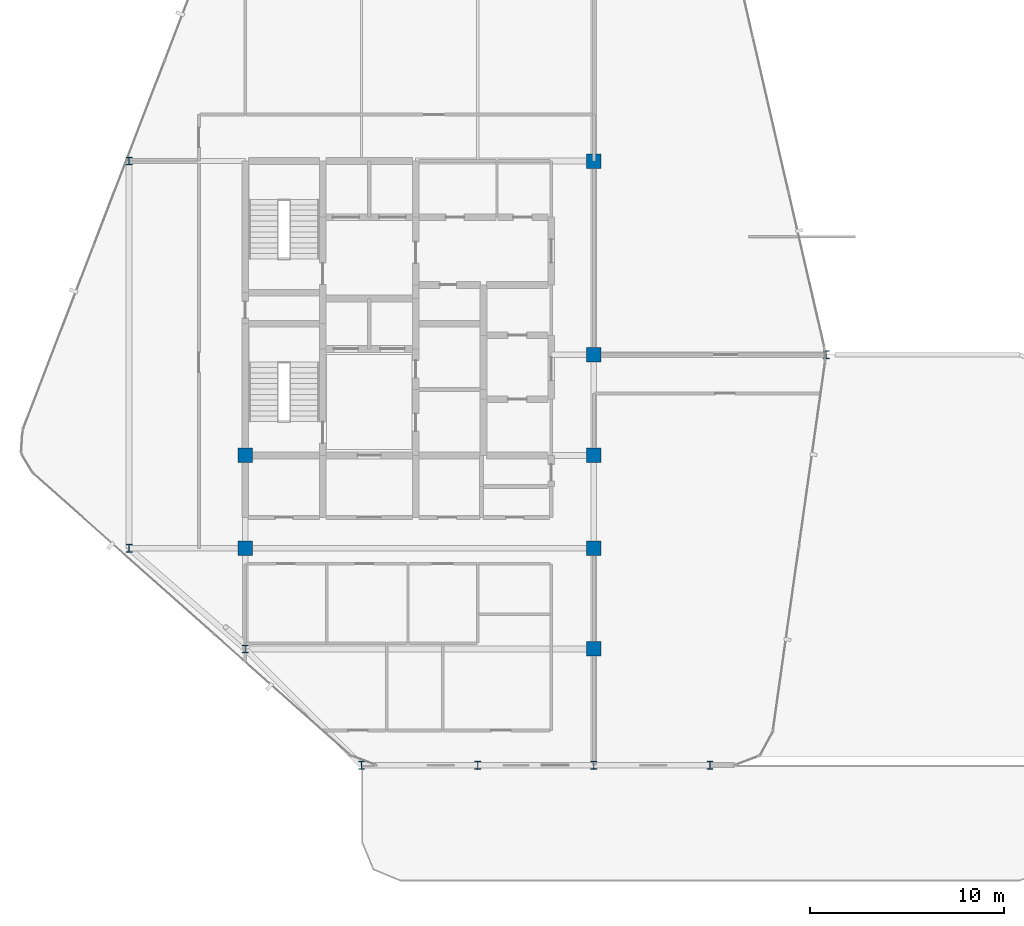
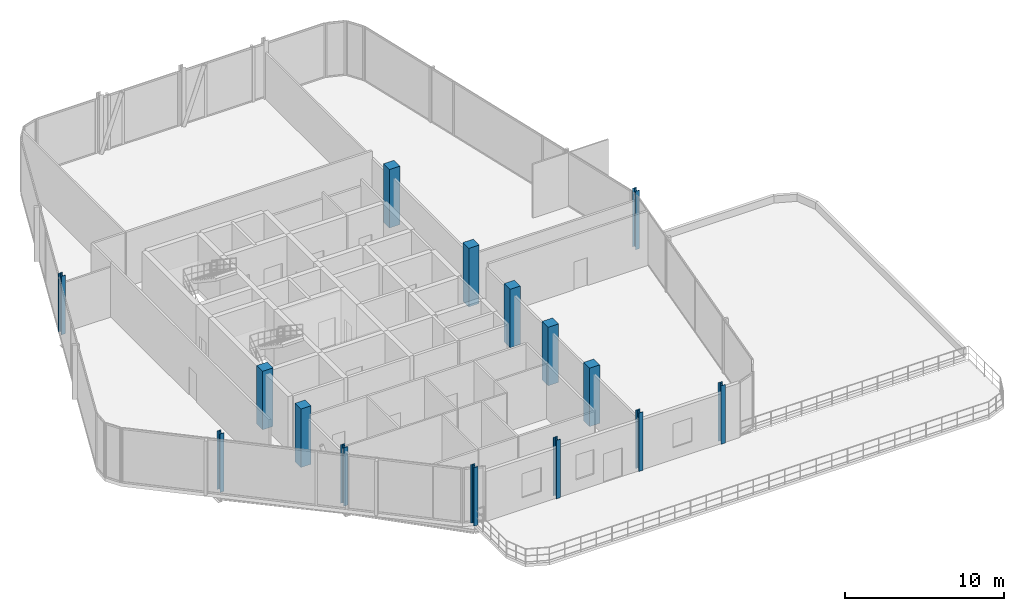
# One storey, part 1 of 24: 15 columns.
"""IFC4 building model written with IfcOpenShell, lengths in metres."""

from ifc_helpers import new_model, si_unit, direction, frame, origin, origin_2d, place, context, subcontext, project, spatial, rectangle, i_section, extrude, material, material_profile, profile_set, type_object, element, save


model = new_model("IFC4")

# Units and contexts
model_context = context("Model", 3, precision=1e-05, world=origin(), true_north=direction((0.0, 1.0)))
body_context = subcontext(model_context, "Body", "Model", "MODEL_VIEW")
ifc_project = project(units=[si_unit("LENGTHUNIT", "METRE"), si_unit("AREAUNIT", "SQUARE_METRE"), si_unit("VOLUMEUNIT", "CUBIC_METRE"), si_unit("PLANEANGLEUNIT", "RADIAN"), si_unit("MASSUNIT", "GRAM", prefix="KILO")], contexts=[model_context])

# Site, building, storey
site_placement = place(None, origin())
site = spatial("IfcSite", under=ifc_project, at=site_placement, CompositionType="ELEMENT")
building_placement = place(site_placement, origin())
building = spatial("IfcBuilding", under=site, at=building_placement, Name="Keshet Zoharim Tower", CompositionType="ELEMENT")
storey_placement = place(building_placement, frame((0.0, 0.0, 242.800048828125)))
storey = spatial("IfcBuildingStorey", under=building, at=storey_placement, Name="L60", CompositionType="ELEMENT", Elevation=242.800048828125)

# Columns
ifc_material_1 = material(Name="Steel S355", Category="steel")
ifc_material_profile_1 = material_profile(ifc_material_1, i_section(OverallWidth=0.300048828125, OverallDepth=0.39990234375, WebThickness=0.013427734375, FlangeThickness=0.02392578125, FilletRadius=0.027099609375, at=origin_2d()), Name="HEB400")
ifc_profile_set_1 = profile_set([ifc_material_profile_1], Name="Steel S355")
column_type_1 = type_object("IfcColumnType", Name="COL-HEB400", PredefinedType="COLUMN", material=ifc_profile_set_1)
for number, where, z_axis, x_axis, name in (
    (1, (9.0, 17.89990234375, 0.0), (0.0, 0.0, 1.0), (1.0, 0.0, 0.0), "L60 Column 2D"),
    (2, (9.0, 37.89990234375, 0.0), (0.0, 0.0, 1.0), (1.0, 0.0, 0.0), "L60 Column 2H"),
    (3, (15.0, 12.699951171875, 0.0), (0.0, 0.0, 1.0), (1.0, 0.0, 0.0), "L60 Column 3C"),
    (4, (21.0, 6.699951171875, 0.0), (0.0, 0.0, 1.0), (1.0, 0.0, 0.0), "L60 Column 4B"),
    (5, (27.0, 6.699951171875, 0.0), (0.0, 0.0, 1.0), (1.0, 0.0, 0.0), "L60 Column 5B"),
    (6, (33.0, 6.699951171875, 0.0), (0.0, 0.0, 1.0), (1.0, 0.0, 0.0), "L60 Column 6B"),
    (7, (39.0, 6.699951171875, 0.0), (0.0, 0.0, 1.0), (1.0, 0.0, 0.0), "L60 Column 7B"),
    (8, (45.0, 27.89990234375, 0.0), (0.0, 0.0, 1.0), (1.0, 0.0, 0.0), "L60 Column 8F"),
):
    element("IfcColumn", number, at=place(storey_placement, frame(where, z_axis=z_axis, x_axis=x_axis)), inside=storey, type_object=column_type_1, Name=name, PredefinedType="COLUMN", context=body_context, shape_type="SweptSolid", body=[
        extrude(i_section(OverallWidth=0.300048828125, OverallDepth=0.39990234375, WebThickness=0.013427734375, FlangeThickness=0.02392578125, FilletRadius=0.027099609375, at=origin_2d()), origin(), (0.0, 0.0, 1.0), 4.5),
    ])
ifc_material_2 = material(Name="Concrete C50/60", Category="concrete")
ifc_material_profile_2 = material_profile(ifc_material_2, rectangle(XDim=0.75, YDim=0.75, at=origin_2d()), Name="RC750x750")
ifc_profile_set_2 = profile_set([ifc_material_profile_2], Name="Concrete C50/60")
column_type_2 = type_object("IfcColumnType", Name="COL-RC750", PredefinedType="COLUMN", material=ifc_profile_set_2)
for number, where, z_axis, x_axis, name in (
    (9, (15.0, 17.89990234375, 0.0), (0.0, 0.0, 1.0), (1.0, 0.0, 0.0), "L60 Column 3D"),
    (10, (15.0, 22.699951171875, 0.0), (0.0, 0.0, 1.0), (1.0, 0.0, 0.0), "L60 Column 3E"),
    (11, (33.0, 12.699951171875, 0.0), (0.0, 0.0, 1.0), (1.0, 0.0, 0.0), "L60 Column 6C"),
    (12, (33.0, 17.89990234375, 0.0), (0.0, 0.0, 1.0), (1.0, 0.0, 0.0), "L60 Column 6D"),
    (13, (33.0, 22.699951171875, 0.0), (0.0, 0.0, 1.0), (1.0, 0.0, 0.0), "L60 Column 6E"),
    (14, (33.0, 27.89990234375, 0.0), (0.0, 0.0, 1.0), (1.0, 0.0, 0.0), "L60 Column 6F"),
    (15, (33.0, 37.89990234375, 0.0), (0.0, 0.0, 1.0), (1.0, 0.0, 0.0), "L60 Column 6H"),
):
    element("IfcColumn", number, at=place(storey_placement, frame(where, z_axis=z_axis, x_axis=x_axis)), inside=storey, type_object=column_type_2, Name=name, PredefinedType="COLUMN", context=body_context, shape_type="SweptSolid", body=[
        extrude(rectangle(XDim=0.75, YDim=0.75, at=origin_2d()), origin(), (0.0, 0.0, 1.0), 4.5),
    ])

save(model, "model.ifc")
